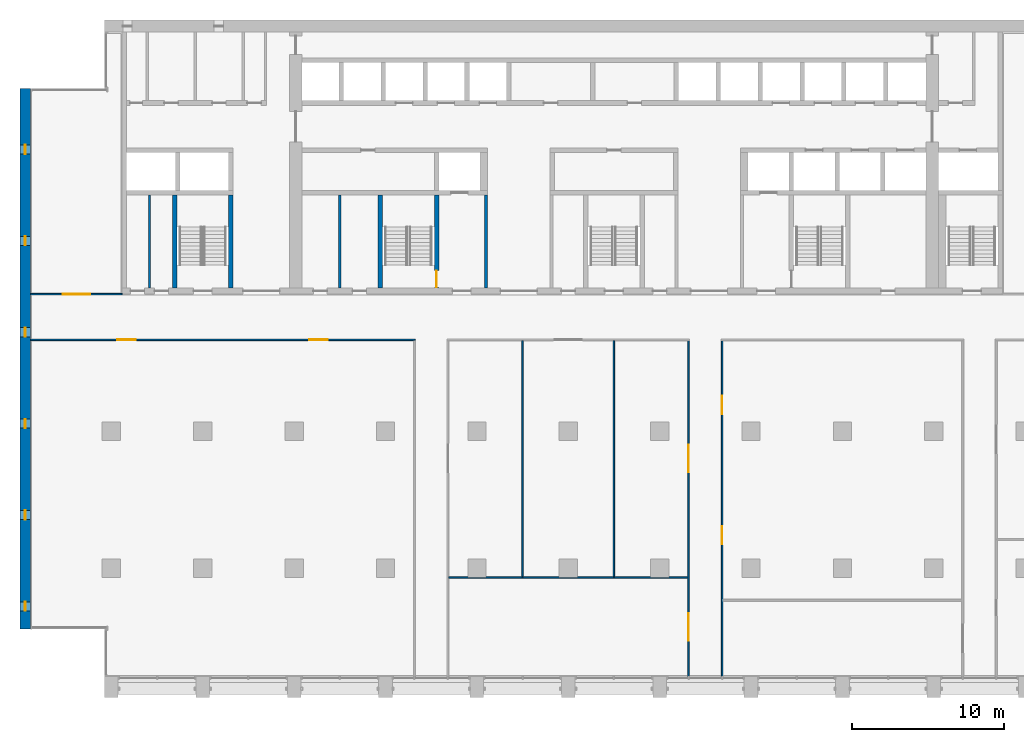
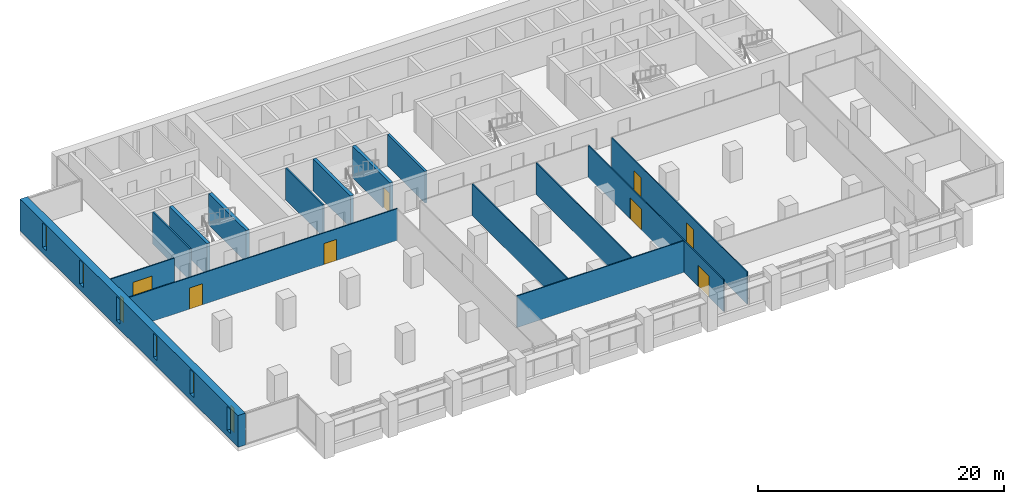
# One storey, part 8 of 15: 15 walls, 8 doors, 6 windows, 14 openings.
"""IFC4 building model written with IfcOpenShell, lengths in metres."""

import ifcopenshell
import ifcopenshell.guid

model = None  # the IFC model being written
_history = None  # IfcOwnerHistory: only IFC2X3 demands one
_inside = {}  # id of a spatial element -> (the spatial element, [elements in it])
_under = {}  # id of a project, library or spatial element -> (it, [spatial elements below it])
_declared = {}  # id of a project -> (the project, [libraries it declares])
_typed = {}  # id of a type object -> (the type object, [elements of that type])
_made_of = {}  # id of a material, layer set ... -> (it, [elements and type objects made of it])


def new_model(schema):
    """Start an empty IFC model of exactly this schema.

    Asked for "IFC4X3", IfcOpenShell would pick the latest addendum, in which some entities
    have other attributes; the version numbers below select the first issue.
    IFC2X3 requires an IfcOwnerHistory on every rooted entity: one is made here for all.
    """
    global model, _history
    if schema == "IFC4X3":
        model = ifcopenshell.file(schema_version=(4, 3, 0, 0))
    else:
        model = ifcopenshell.file(schema=schema)
    _inside.clear()
    _under.clear()
    _declared.clear()
    _typed.clear()
    _made_of.clear()
    _history = None
    if model.schema == "IFC2X3":
        org = make("IfcOrganization", Name="unknown")
        user = make(
            "IfcPersonAndOrganization",
            ThePerson=make("IfcPerson", FamilyName="unknown"),
            TheOrganization=org,
        )
        app = make(
            "IfcApplication",
            ApplicationDeveloper=org,
            Version="unknown",
            ApplicationFullName="unknown",
            ApplicationIdentifier="unknown",
        )
        _history = make(
            "IfcOwnerHistory",
            OwningUser=user,
            OwningApplication=app,
            ChangeAction="ADDED",
            CreationDate=0,
        )
    return model


def make(cls, **values):
    """One entity of the class cls with the attributes given. An attribute that is None is left unset."""
    return model.create_entity(
        cls, **{name: value for name, value in values.items() if value is not None}
    )


def rooted(cls, **values):
    """An entity with a GlobalId (a new one), such as an element, a storey or a relation."""
    return make(cls, GlobalId=ifcopenshell.guid.new(), OwnerHistory=_history, **values)


def si_unit(unit_type, name, prefix=None):
    """IfcSIUnit, for example si_unit("LENGTHUNIT", "METRE", prefix="MILLI")."""
    return make("IfcSIUnit", UnitType=unit_type, Prefix=prefix, Name=name)


def assignment(units):
    """IfcUnitAssignment: the units of a project."""
    return None if units is None else make("IfcUnitAssignment", Units=units)


def point(xyz):
    """IfcCartesianPoint."""
    return None if xyz is None else make("IfcCartesianPoint", Coordinates=xyz)


def direction(xyz):
    """IfcDirection."""
    return None if xyz is None else make("IfcDirection", DirectionRatios=xyz)


def frame(location, z_axis=None, x_axis=None):
    """IfcAxis2Placement3D, a coordinate frame: its origin and axes. An axis left out is left unset."""
    return make(
        "IfcAxis2Placement3D",
        Location=point(location),
        Axis=direction(z_axis),
        RefDirection=direction(x_axis),
    )


def frame_2d(location, x_axis=None):
    """IfcAxis2Placement2D, a coordinate frame in the plane: its origin and x axis."""
    return make(
        "IfcAxis2Placement2D", Location=point(location), RefDirection=direction(x_axis)
    )


def origin():
    """The frame at (0, 0, 0) with its axes left unset."""
    return frame((0.0, 0.0, 0.0))


def place(relative_to, where):
    """IfcLocalPlacement: puts the frame where relative to a parent placement (None: the world)."""
    return make(
        "IfcLocalPlacement", PlacementRelTo=relative_to, RelativePlacement=where
    )


def context(
    kind, dimensions, precision=None, world=None, true_north=None, identifier=None
):
    """IfcGeometricRepresentationContext, for example the 3D "Model" context."""
    return make(
        "IfcGeometricRepresentationContext",
        ContextIdentifier=identifier,
        ContextType=kind,
        CoordinateSpaceDimension=dimensions,
        Precision=precision,
        WorldCoordinateSystem=world,
        TrueNorth=true_north,
    )


def subcontext(parent, identifier, kind, view, scale=None):
    """IfcGeometricRepresentationSubContext, for example "Body" below "Model"."""
    return make(
        "IfcGeometricRepresentationSubContext",
        ContextIdentifier=identifier,
        ContextType=kind,
        ParentContext=parent,
        TargetScale=scale,
        TargetView=view,
    )


def project(units=None, contexts=None):
    """IfcProject with its units and contexts."""
    return rooted(
        "IfcProject",
        Name="project",
        RepresentationContexts=contexts,
        UnitsInContext=assignment(units),
    )


def spatial(cls, under=None, at=None, **own):
    """A site, building, storey or space (cls), placed at a placement, below another one or the project."""
    s = rooted(cls, ObjectPlacement=at, **own)
    if under is not None:
        _under.setdefault(under.id(), (under, []))[1].append(s)
    return s


def profile(cls, at=None, kind="AREA", **sizes):
    """A parametric profile (cls). Its sizes go by their IFC names, for example OverallWidth=200.0."""
    return make(cls, ProfileType=kind, Position=at, **sizes)


def rectangle(**sizes):
    """IfcRectangleProfileDef."""
    return profile("IfcRectangleProfileDef", **sizes)


def extrude(swept, where, along, depth):
    """IfcExtrudedAreaSolid: the profile swept, set in the frame where, extruded along a direction by depth."""
    return make(
        "IfcExtrudedAreaSolid",
        SweptArea=swept,
        Position=where,
        ExtrudedDirection=direction(along),
        Depth=depth,
    )


def shape(context_of_items, identifier, shape_type, items):
    """IfcShapeRepresentation: the items that make up one representation, for example the "Body"."""
    return make(
        "IfcShapeRepresentation",
        ContextOfItems=context_of_items,
        RepresentationIdentifier=identifier,
        RepresentationType=shape_type,
        Items=items,
    )


def material(Name=None, Category=None):
    """IfcMaterial."""
    return make("IfcMaterial", Name=Name, Category=Category)


def layer(
    of_material, thickness, ventilated=None, Name=None, Category=None, Priority=None
):
    """IfcMaterialLayer: one layer of a wall or slab, of a material (None: an air gap)."""
    return make(
        "IfcMaterialLayer",
        Material=of_material,
        LayerThickness=thickness,
        IsVentilated=ventilated,
        Name=Name,
        Category=Category,
        Priority=Priority,
    )


def layer_set(layers, Name=None):
    """IfcMaterialLayerSet."""
    return make("IfcMaterialLayerSet", MaterialLayers=layers, LayerSetName=Name)


def made_of(thing, what):
    """Note that an element or type object is made of a material, layer set ...; save() writes the relation."""
    if what is not None:
        _made_of.setdefault(what.id(), (what, []))[1].append(thing)
    return thing


def type_object(cls, material=None, **own):
    """A type object (cls), such as IfcWallType, which elements share."""
    return made_of(rooted(cls, **own), material)


def element(
    cls,
    number,
    at=None,
    inside=None,
    cuts=None,
    type_object=None,
    material=None,
    context=None,
    identifier="Body",
    shape_type=None,
    held_by="IfcProductDefinitionShape",
    body=None,
    shapes=None,
    **own,
):
    """One element of the class cls, such as IfcWall. Its Tag is "e" and its number.

    at: its placement. inside: the storey or other place that contains it. cuts: it is an
    opening in that element (IfcRelVoidsElement). A single representation is given by context,
    identifier, shape_type and body (its items); several are given by shapes. held_by: the class
    of the entity that holds the representations. save() writes the other relations.
    """
    e = rooted(cls, Tag="e%d" % number, ObjectPlacement=at, **own)
    if body is not None:
        shapes = [shape(context, identifier, shape_type, body)]
    if shapes is not None:
        e.Representation = make(held_by, Representations=shapes)
    if inside is not None:
        _inside.setdefault(inside.id(), (inside, []))[1].append(e)
    if cuts is not None:
        rooted(
            "IfcRelVoidsElement", RelatingBuildingElement=cuts, RelatedOpeningElement=e
        )
    if type_object is not None:
        _typed.setdefault(type_object.id(), (type_object, []))[1].append(e)
    return made_of(e, material)


def fill(opening, filler):
    """IfcRelFillsElement: the door or window that sits in an opening."""
    return rooted(
        "IfcRelFillsElement",
        RelatingOpeningElement=opening,
        RelatedBuildingElement=filler,
    )


def aggregate(whole, parts):
    """IfcRelAggregates: a whole, such as a stair, and the parts it consists of."""
    return rooted("IfcRelAggregates", RelatingObject=whole, RelatedObjects=parts)


def save(model, path):
    """Write the relations noted so far, then the file.

    IfcRelAggregates (storeys below a building ...), IfcRelContainedInSpatialStructure (elements
    in a storey), IfcRelDefinesByType, IfcRelAssociatesMaterial and IfcRelDeclares: one each for
    every whole, place, type object, material and project.
    """
    for whole, parts in _under.values():
        aggregate(whole, parts)
    for where, things in _inside.values():
        rooted(
            "IfcRelContainedInSpatialStructure",
            RelatedElements=things,
            RelatingStructure=where,
        )
    for kind, things in _typed.values():
        rooted("IfcRelDefinesByType", RelatedObjects=things, RelatingType=kind)
    for what, things in _made_of.values():
        rooted("IfcRelAssociatesMaterial", RelatedObjects=things, RelatingMaterial=what)
    for by, libraries in _declared.values():
        rooted("IfcRelDeclares", RelatingContext=by, RelatedDefinitions=libraries)
    model.write(path)


model = new_model("IFC4")

# Units and contexts
model_context = context("Model", 3, precision=1e-05, world=origin(), true_north=direction((0.0, 1.0)))
body_context = subcontext(model_context, "Body", "Model", "MODEL_VIEW")
ifc_project = project(units=[si_unit("LENGTHUNIT", "METRE"), si_unit("AREAUNIT", "SQUARE_METRE"), si_unit("VOLUMEUNIT", "CUBIC_METRE"), si_unit("PLANEANGLEUNIT", "RADIAN"), si_unit("MASSUNIT", "GRAM", prefix="KILO")], contexts=[model_context])

# Site, building, storey
site_placement = place(None, origin())
site = spatial("IfcSite", under=ifc_project, at=site_placement, CompositionType="ELEMENT")
building_placement = place(site_placement, origin())
building = spatial("IfcBuilding", under=site, at=building_placement, Name="Calvaro Tower", CompositionType="ELEMENT")
storey_placement = place(building_placement, frame((0.0, 0.0, 155.0)))
storey = spatial("IfcBuildingStorey", under=building, at=storey_placement, Name="L39", CompositionType="ELEMENT", Elevation=155.0)

# Walls
ifc_material_1 = material(Name="Blockwork partition", Category="masonry")
ifc_layer_1 = layer(ifc_material_1, 0.14990234375)
ifc_layer_set_1 = layer_set([ifc_layer_1], Name="Blockwork partition")
wall_type_1 = type_object("IfcWallType", Name="Core partition 150 EI 60", PredefinedType="PARTITIONING", material=ifc_layer_set_1)
wall_1_placement = place(storey_placement, frame((21.0, 28.39990234375, 0.0), z_axis=(0.0, 0.0, 1.0), x_axis=(0.0, 1.0, 0.0)))
element("IfcWall", 1, at=wall_1_placement, inside=storey, type_object=wall_type_1, Name="Core partition", PredefinedType="PARTITIONING", context=body_context, shape_type="SweptSolid", body=[
    extrude(rectangle(XDim=6.10009765625, YDim=0.14990234375, at=frame_2d((3.050048828125, 0.0))), origin(), (0.0, 0.0, 1.0), 3.14990234375),
])
ifc_material_2 = material(Name="Blockwork partition", Category="masonry")
ifc_layer_2 = layer(ifc_material_2, 0.14990234375)
ifc_layer_set_2 = layer_set([ifc_layer_2], Name="Blockwork partition")
wall_type_2 = type_object("IfcWallType", Name="Core partition 150 REI 120", PredefinedType="PARTITIONING", material=ifc_layer_set_2)
wall_2_placement = place(storey_placement, frame((8.5, 28.39990234375, 0.0), z_axis=(0.0, 0.0, 1.0), x_axis=(0.0, 1.0, 0.0)))
element("IfcWall", 2, at=wall_2_placement, inside=storey, type_object=wall_type_2, Name="Core partition", PredefinedType="PARTITIONING", context=body_context, shape_type="SweptSolid", body=[
    extrude(rectangle(XDim=6.10009765625, YDim=0.14990234375, at=frame_2d((3.050048828125, 0.0))), origin(), (0.0, 0.0, 1.0), 3.14990234375),
])
ifc_material_3 = material(Name="Blockwork partition", Category="masonry")
ifc_layer_3 = layer(ifc_material_3, 0.199951171875)
ifc_layer_set_3 = layer_set([ifc_layer_3], Name="Blockwork partition")
wall_type_3 = type_object("IfcWallType", Name="Core partition 200 REI 120", PredefinedType="PARTITIONING", material=ifc_layer_set_3)
wall_3_placement = place(storey_placement, frame((30.60009765625, 28.39990234375, 0.0), z_axis=(0.0, 0.0, 1.0), x_axis=(0.0, 1.0, 0.0)))
element("IfcWall", 3, at=wall_3_placement, inside=storey, type_object=wall_type_3, Name="Core partition", PredefinedType="PARTITIONING", context=body_context, shape_type="SweptSolid", body=[
    extrude(rectangle(XDim=6.10009765625, YDim=0.199951171875, at=frame_2d((3.050048828125, 0.0))), origin(), (0.0, 0.0, 1.0), 3.14990234375),
])
ifc_material_4 = material(Name="Concrete C60/75", Category="concrete")
ifc_layer_4 = layer(ifc_material_4, 0.300048828125)
ifc_layer_set_4 = layer_set([ifc_layer_4], Name="Concrete C60/75")
wall_type_4 = type_object("IfcWallType", Name="Core wall C60/75 300", PredefinedType="SHEAR", material=ifc_layer_set_4)
for number, where, z_axis, x_axis, name in (
    (4, (10.14990234375, 28.39990234375, 0.0), (0.0, 0.0, 1.0), (0.0, 1.0, 0.0), "Core wall, stair enclosure"),
    (5, (13.85009765625, 28.39990234375, 0.0), (0.0, 0.0, 1.0), (0.0, 1.0, 0.0), "Core wall, stair enclosure"),
    (6, (23.64990234375, 28.39990234375, 0.0), (0.0, 0.0, 1.0), (0.0, 1.0, 0.0), "Core wall, stair enclosure"),
):
    element("IfcWall", number, at=place(storey_placement, frame(where, z_axis=z_axis, x_axis=x_axis)), inside=storey, type_object=wall_type_4, Name=name, PredefinedType="SHEAR", context=body_context, shape_type="SweptSolid", body=[
        extrude(rectangle(XDim=6.10009765625, YDim=0.300048828125, at=frame_2d((3.050048828125, 0.0))), origin(), (0.0, 0.0, 1.0), 3.14990234375),
    ])

# Wall, opening, door
wall_4_placement = place(storey_placement, frame((27.35009765625, 28.39990234375, 0.0), z_axis=(0.0, 0.0, 1.0), x_axis=(0.0, 1.0, 0.0)))
wall_4 = element("IfcWall", 7, at=wall_4_placement, inside=storey, type_object=wall_type_4, Name="Core wall, stair enclosure", PredefinedType="SHEAR", context=body_context, shape_type="SweptSolid", body=[
    extrude(rectangle(XDim=6.10009765625, YDim=0.300048828125, at=frame_2d((3.050048828125, 0.0))), origin(), (0.0, 0.0, 1.0), 3.14990234375),
])
opening_1_placement = place(wall_4_placement, frame((0.050048828125, 0.0, 0.0)))
opening_1 = element("IfcOpeningElement", 8, at=opening_1_placement, cuts=wall_4, Name="Opening FD11D", PredefinedType="OPENING", context=body_context, shape_type="SweptSolid", body=[
    extrude(rectangle(XDim=1.10009765625, YDim=2.10009765625, at=frame_2d((0.550048828125, 1.050048828125))), frame((0.0, 0.159912109375, 0.0), z_axis=(0.0, -1.0, 0.0), x_axis=(1.0, 0.0, 0.0)), (0.0, 0.0, 1.0), 0.320068359375),
])
ifc_material_5 = material(Name="Steel door set", Category="steel")
door_type_1 = type_object("IfcDoorType", Name="Fire door 1100 FD30S", OperationType="SINGLE_SWING_LEFT", PredefinedType="DOOR", material=ifc_material_5)
door_1_placement = place(opening_1_placement, origin())
door_1 = element("IfcDoor", 9, at=door_1_placement, inside=storey, type_object=door_type_1, Name="Fire door", OperationType="SINGLE_SWING_LEFT", OverallHeight=2.10009765625, OverallWidth=1.10009765625, PredefinedType="DOOR", context=body_context, shape_type="SweptSolid", body=[
    extrude(rectangle(XDim=1.10009765625, YDim=2.10009765625, at=frame_2d((0.550048828125, 1.050048828125))), frame((0.0, 0.02490234375, 0.0), z_axis=(0.0, -1.0, 0.0), x_axis=(1.0, 0.0, 0.0)), (0.0, 0.0, 1.0), 0.050048828125),
])
fill(opening_1, door_1)

# Wall, openings, windows
ifc_material_6 = material(Name="Concrete C60/75", Category="concrete")
ifc_layer_5 = layer(ifc_material_6, 0.699951171875)
ifc_layer_set_5 = layer_set([ifc_layer_5], Name="Concrete C60/75")
wall_type_5 = type_object("IfcWallType", Name="End wall 700 C60/75", PredefinedType="SHEAR", material=ifc_layer_set_5)
wall_5_placement = place(storey_placement, frame((0.35009765625, 6.0, 0.0), z_axis=(0.0, 0.0, 1.0), x_axis=(0.0, 1.0, 0.0)))
wall_5 = element("IfcWall", 10, at=wall_5_placement, inside=storey, type_object=wall_type_5, Name="End shear wall", PredefinedType="SHEAR", context=body_context, shape_type="SweptSolid", body=[
    extrude(rectangle(XDim=35.5, YDim=0.699951171875, at=frame_2d((17.75, 0.0))), origin(), (0.0, 0.0, 1.0), 3.14990234375),
])
opening_2_placement = place(wall_5_placement, frame((1.199951171875, 0.0, 0.60009765625)))
opening_2 = element("IfcOpeningElement", 11, at=opening_2_placement, cuts=wall_5, Name="Opening WW01", PredefinedType="OPENING", context=body_context, shape_type="SweptSolid", body=[
    extrude(rectangle(XDim=0.60009765625, YDim=2.39990234375, at=frame_2d((0.300048828125, 1.199951171875))), frame((0.0, 0.35986328125, 0.0), z_axis=(0.0, -1.0, 0.0), x_axis=(1.0, 0.0, 0.0)), (0.0, 0.0, 1.0), 0.719970703125),
])
opening_3_placement = place(wall_5_placement, frame((7.199951171875, 0.0, 0.60009765625)))
opening_3 = element("IfcOpeningElement", 12, at=opening_3_placement, cuts=wall_5, Name="Opening WW02", PredefinedType="OPENING", context=body_context, shape_type="SweptSolid", body=[
    extrude(rectangle(XDim=0.60009765625, YDim=2.39990234375, at=frame_2d((0.300048828125, 1.199951171875))), frame((0.0, 0.35986328125, 0.0), z_axis=(0.0, -1.0, 0.0), x_axis=(1.0, 0.0, 0.0)), (0.0, 0.0, 1.0), 0.719970703125),
])
opening_4_placement = place(wall_5_placement, frame((13.199951171875, 0.0, 0.60009765625)))
opening_4 = element("IfcOpeningElement", 13, at=opening_4_placement, cuts=wall_5, Name="Opening WW03", PredefinedType="OPENING", context=body_context, shape_type="SweptSolid", body=[
    extrude(rectangle(XDim=0.60009765625, YDim=2.39990234375, at=frame_2d((0.300048828125, 1.199951171875))), frame((0.0, 0.35986328125, 0.0), z_axis=(0.0, -1.0, 0.0), x_axis=(1.0, 0.0, 0.0)), (0.0, 0.0, 1.0), 0.719970703125),
])
opening_5_placement = place(wall_5_placement, frame((19.199951171875, 0.0, 0.60009765625)))
opening_5 = element("IfcOpeningElement", 14, at=opening_5_placement, cuts=wall_5, Name="Opening WW04", PredefinedType="OPENING", context=body_context, shape_type="SweptSolid", body=[
    extrude(rectangle(XDim=0.60009765625, YDim=2.39990234375, at=frame_2d((0.300048828125, 1.199951171875))), frame((0.0, 0.35986328125, 0.0), z_axis=(0.0, -1.0, 0.0), x_axis=(1.0, 0.0, 0.0)), (0.0, 0.0, 1.0), 0.719970703125),
])
opening_6_placement = place(wall_5_placement, frame((25.199951171875, 0.0, 0.60009765625)))
opening_6 = element("IfcOpeningElement", 15, at=opening_6_placement, cuts=wall_5, Name="Opening WW05", PredefinedType="OPENING", context=body_context, shape_type="SweptSolid", body=[
    extrude(rectangle(XDim=0.60009765625, YDim=2.39990234375, at=frame_2d((0.300048828125, 1.199951171875))), frame((0.0, 0.35986328125, 0.0), z_axis=(0.0, -1.0, 0.0), x_axis=(1.0, 0.0, 0.0)), (0.0, 0.0, 1.0), 0.719970703125),
])
opening_7_placement = place(wall_5_placement, frame((31.199951171875, 0.0, 0.60009765625)))
opening_7 = element("IfcOpeningElement", 16, at=opening_7_placement, cuts=wall_5, Name="Opening WW06", PredefinedType="OPENING", context=body_context, shape_type="SweptSolid", body=[
    extrude(rectangle(XDim=0.60009765625, YDim=2.39990234375, at=frame_2d((0.300048828125, 1.199951171875))), frame((0.0, 0.35986328125, 0.0), z_axis=(0.0, -1.0, 0.0), x_axis=(1.0, 0.0, 0.0)), (0.0, 0.0, 1.0), 0.719970703125),
])
ifc_material_7 = material(Name="Glass", Category="glass")
window_type = type_object("IfcWindowType", Name="Slit window 600 x 2400", PartitioningType="SINGLE_PANEL", PredefinedType="WINDOW", material=ifc_material_7)
window_1_placement = place(opening_2_placement, origin())
window_1 = element("IfcWindow", 17, at=window_1_placement, inside=storey, type_object=window_type, Name="Window WW01", OverallHeight=2.39990234375, OverallWidth=0.60009765625, PartitioningType="SINGLE_PANEL", PredefinedType="WINDOW", context=body_context, shape_type="SweptSolid", body=[
    extrude(rectangle(XDim=0.60009765625, YDim=2.39990234375, at=frame_2d((0.300048828125, 1.199951171875))), frame((0.0, 0.030029296875, 0.0), z_axis=(0.0, -1.0, 0.0), x_axis=(1.0, 0.0, 0.0)), (0.0, 0.0, 1.0), 0.06005859375),
])
fill(opening_2, window_1)
window_2_placement = place(opening_3_placement, origin())
window_2 = element("IfcWindow", 18, at=window_2_placement, inside=storey, type_object=window_type, Name="Window WW02", OverallHeight=2.39990234375, OverallWidth=0.60009765625, PartitioningType="SINGLE_PANEL", PredefinedType="WINDOW", context=body_context, shape_type="SweptSolid", body=[
    extrude(rectangle(XDim=0.60009765625, YDim=2.39990234375, at=frame_2d((0.300048828125, 1.199951171875))), frame((0.0, 0.030029296875, 0.0), z_axis=(0.0, -1.0, 0.0), x_axis=(1.0, 0.0, 0.0)), (0.0, 0.0, 1.0), 0.06005859375),
])
fill(opening_3, window_2)
window_3_placement = place(opening_4_placement, origin())
window_3 = element("IfcWindow", 19, at=window_3_placement, inside=storey, type_object=window_type, Name="Window WW03", OverallHeight=2.39990234375, OverallWidth=0.60009765625, PartitioningType="SINGLE_PANEL", PredefinedType="WINDOW", context=body_context, shape_type="SweptSolid", body=[
    extrude(rectangle(XDim=0.60009765625, YDim=2.39990234375, at=frame_2d((0.300048828125, 1.199951171875))), frame((0.0, 0.030029296875, 0.0), z_axis=(0.0, -1.0, 0.0), x_axis=(1.0, 0.0, 0.0)), (0.0, 0.0, 1.0), 0.06005859375),
])
fill(opening_4, window_3)
window_4_placement = place(opening_5_placement, origin())
window_4 = element("IfcWindow", 20, at=window_4_placement, inside=storey, type_object=window_type, Name="Window WW04", OverallHeight=2.39990234375, OverallWidth=0.60009765625, PartitioningType="SINGLE_PANEL", PredefinedType="WINDOW", context=body_context, shape_type="SweptSolid", body=[
    extrude(rectangle(XDim=0.60009765625, YDim=2.39990234375, at=frame_2d((0.300048828125, 1.199951171875))), frame((0.0, 0.030029296875, 0.0), z_axis=(0.0, -1.0, 0.0), x_axis=(1.0, 0.0, 0.0)), (0.0, 0.0, 1.0), 0.06005859375),
])
fill(opening_5, window_4)
window_5_placement = place(opening_6_placement, origin())
window_5 = element("IfcWindow", 21, at=window_5_placement, inside=storey, type_object=window_type, Name="Window WW05", OverallHeight=2.39990234375, OverallWidth=0.60009765625, PartitioningType="SINGLE_PANEL", PredefinedType="WINDOW", context=body_context, shape_type="SweptSolid", body=[
    extrude(rectangle(XDim=0.60009765625, YDim=2.39990234375, at=frame_2d((0.300048828125, 1.199951171875))), frame((0.0, 0.030029296875, 0.0), z_axis=(0.0, -1.0, 0.0), x_axis=(1.0, 0.0, 0.0)), (0.0, 0.0, 1.0), 0.06005859375),
])
fill(opening_6, window_5)
window_6_placement = place(opening_7_placement, origin())
window_6 = element("IfcWindow", 22, at=window_6_placement, inside=storey, type_object=window_type, Name="Window WW06", OverallHeight=2.39990234375, OverallWidth=0.60009765625, PartitioningType="SINGLE_PANEL", PredefinedType="WINDOW", context=body_context, shape_type="SweptSolid", body=[
    extrude(rectangle(XDim=0.60009765625, YDim=2.39990234375, at=frame_2d((0.300048828125, 1.199951171875))), frame((0.0, 0.030029296875, 0.0), z_axis=(0.0, -1.0, 0.0), x_axis=(1.0, 0.0, 0.0)), (0.0, 0.0, 1.0), 0.06005859375),
])
fill(opening_7, window_6)

# Wall
ifc_material_8 = material(Name="Plasterboard on steel studs", Category="steel")
ifc_layer_6 = layer(ifc_material_8, 0.10009765625)
ifc_layer_set_6 = layer_set([ifc_layer_6], Name="Plasterboard on steel studs")
wall_type_6 = type_object("IfcWallType", Name="Partition 100", PredefinedType="PARTITIONING", material=ifc_layer_set_6)
wall_6_placement = place(storey_placement, frame((28.14990234375, 9.39990234375, 0.0), z_axis=(0.0, 0.0, 1.0), x_axis=(1.0, 0.0, 0.0)))
element("IfcWall", 23, at=wall_6_placement, inside=storey, type_object=wall_type_6, Name="Partition T23.W002", PredefinedType="PARTITIONING", context=body_context, shape_type="SweptSolid", body=[
    extrude(rectangle(XDim=15.7001953125, YDim=0.10009765625, at=frame_2d((7.85009765625, 0.0))), origin(), (0.0, 0.0, 1.0), 3.14990234375),
])

# Wall, openings, doors
wall_7_placement = place(storey_placement, frame((0.699951171875, 25.0, 0.0), z_axis=(0.0, 0.0, 1.0), x_axis=(1.0, 0.0, 0.0)))
wall_7 = element("IfcWall", 24, at=wall_7_placement, inside=storey, type_object=wall_type_6, Name="Partition T23.W004", PredefinedType="PARTITIONING", context=body_context, shape_type="SweptSolid", body=[
    extrude(rectangle(XDim=25.25, YDim=0.10009765625, at=frame_2d((12.625, 0.0))), origin(), (0.0, 0.0, 1.0), 3.14990234375),
])
opening_8_placement = place(wall_7_placement, frame((5.699951171875, 0.0, 0.0)))
opening_8 = element("IfcOpeningElement", 25, at=opening_8_placement, cuts=wall_7, Name="Opening T23.004", PredefinedType="OPENING", context=body_context, shape_type="SweptSolid", body=[
    extrude(rectangle(XDim=1.199951171875, YDim=2.10009765625, at=frame_2d((0.60009765625, 1.050048828125))), frame((0.0, 0.06005859375, 0.0), z_axis=(0.0, -1.0, 0.0), x_axis=(1.0, 0.0, 0.0)), (0.0, 0.0, 1.0), 0.1201171875),
])
opening_9_placement = place(wall_7_placement, frame((18.300048828125, 0.0, 0.0)))
opening_9 = element("IfcOpeningElement", 26, at=opening_9_placement, cuts=wall_7, Name="Opening T23.005", PredefinedType="OPENING", context=body_context, shape_type="SweptSolid", body=[
    extrude(rectangle(XDim=1.199951171875, YDim=2.10009765625, at=frame_2d((0.60009765625, 1.050048828125))), frame((0.0, 0.06005859375, 0.0), z_axis=(0.0, -1.0, 0.0), x_axis=(1.0, 0.0, 0.0)), (0.0, 0.0, 1.0), 0.1201171875),
])
ifc_material_9 = material(Name="Timber", Category="wood")
door_type_2 = type_object("IfcDoorType", Name="Internal single door 1200 x 2100", OperationType="SINGLE_SWING_LEFT", PredefinedType="DOOR", material=ifc_material_9)
door_2_placement = place(opening_8_placement, origin())
door_2 = element("IfcDoor", 27, at=door_2_placement, inside=storey, type_object=door_type_2, Name="Door T23.004", OperationType="SINGLE_SWING_LEFT", OverallHeight=2.10009765625, OverallWidth=1.199951171875, PredefinedType="DOOR", context=body_context, shape_type="SweptSolid", body=[
    extrude(rectangle(XDim=1.199951171875, YDim=2.10009765625, at=frame_2d((0.60009765625, 1.050048828125))), frame((0.0, 0.02490234375, 0.0), z_axis=(0.0, -1.0, 0.0), x_axis=(1.0, 0.0, 0.0)), (0.0, 0.0, 1.0), 0.050048828125),
])
fill(opening_8, door_2)
door_3_placement = place(opening_9_placement, origin())
door_3 = element("IfcDoor", 28, at=door_3_placement, inside=storey, type_object=door_type_2, Name="Door T23.005", OperationType="SINGLE_SWING_RIGHT", OverallHeight=2.10009765625, OverallWidth=1.199951171875, PredefinedType="DOOR", context=body_context, shape_type="SweptSolid", body=[
    extrude(rectangle(XDim=1.199951171875, YDim=2.10009765625, at=frame_2d((0.60009765625, 1.050048828125))), frame((0.0, 0.02490234375, 0.0), z_axis=(0.0, -1.0, 0.0), x_axis=(1.0, 0.0, 0.0)), (0.0, 0.0, 1.0), 0.050048828125),
])
fill(opening_9, door_3)

# Wall, opening, door
wall_8_placement = place(storey_placement, frame((0.699951171875, 28.0, 0.0), z_axis=(0.0, 0.0, 1.0), x_axis=(1.0, 0.0, 0.0)))
wall_8 = element("IfcWall", 29, at=wall_8_placement, inside=storey, type_object=wall_type_6, Name="Partition T23.W008", PredefinedType="PARTITIONING", context=body_context, shape_type="SweptSolid", body=[
    extrude(rectangle(XDim=6.0, YDim=0.10009765625, at=frame_2d((3.0, 0.0))), origin(), (0.0, 0.0, 1.0), 3.14990234375),
])
opening_10_placement = place(wall_8_placement, frame((2.10009765625, 0.0, 0.0)))
opening_10 = element("IfcOpeningElement", 30, at=opening_10_placement, cuts=wall_8, Name="Opening T23.013", PredefinedType="OPENING", context=body_context, shape_type="SweptSolid", body=[
    extrude(rectangle(XDim=1.800048828125, YDim=2.10009765625, at=frame_2d((0.89990234375, 1.050048828125))), frame((0.0, 0.06005859375, 0.0), z_axis=(0.0, -1.0, 0.0), x_axis=(1.0, 0.0, 0.0)), (0.0, 0.0, 1.0), 0.1201171875),
])
ifc_material_10 = material(Name="Timber", Category="wood")
door_type_3 = type_object("IfcDoorType", Name="Internal double door 1800 x 2100", OperationType="DOUBLE_DOOR_SINGLE_SWING", PredefinedType="DOOR", material=ifc_material_10)
door_4_placement = place(opening_10_placement, origin())
door_4 = element("IfcDoor", 31, at=door_4_placement, inside=storey, type_object=door_type_3, Name="Door T23.013", OperationType="DOUBLE_DOOR_SINGLE_SWING", OverallHeight=2.10009765625, OverallWidth=1.800048828125, PredefinedType="DOOR", context=body_context, shape_type="SweptSolid", body=[
    extrude(rectangle(XDim=1.800048828125, YDim=2.10009765625, at=frame_2d((0.89990234375, 1.050048828125))), frame((0.0, 0.02490234375, 0.0), z_axis=(0.0, -1.0, 0.0), x_axis=(1.0, 0.0, 0.0)), (0.0, 0.0, 1.0), 0.050048828125),
])
fill(opening_10, door_4)

# Walls
for number, where, z_axis, x_axis, name in (
    (32, (33.0, 9.449951171875, 0.0), (0.0, 0.0, 1.0), (0.0, 1.0, 0.0), "Partition T23.W012"),
    (33, (39.0, 9.449951171875, 0.0), (0.0, 0.0, 1.0), (0.0, 1.0, 0.0), "Partition T23.W013"),
):
    element("IfcWall", number, at=place(storey_placement, frame(where, z_axis=z_axis, x_axis=x_axis)), inside=storey, type_object=wall_type_6, Name=name, PredefinedType="PARTITIONING", context=body_context, shape_type="SweptSolid", body=[
        extrude(rectangle(XDim=15.5, YDim=0.10009765625, at=frame_2d((7.75, 0.0))), origin(), (0.0, 0.0, 1.0), 3.14990234375),
    ])

# Wall, openings, doors
wall_9_placement = place(storey_placement, frame((43.89990234375, 2.89990234375, 0.0), z_axis=(0.0, 0.0, 1.0), x_axis=(0.0, 1.0, 0.0)))
wall_9 = element("IfcWall", 34, at=wall_9_placement, inside=storey, type_object=wall_type_6, Name="Partition T23.W014", PredefinedType="PARTITIONING", context=body_context, shape_type="SweptSolid", body=[
    extrude(rectangle(XDim=22.050048828125, YDim=0.10009765625, at=frame_2d((11.02490234375, 0.0))), origin(), (0.0, 0.0, 1.0), 3.14990234375),
])
opening_11_placement = place(wall_9_placement, frame((2.35009765625, 0.0, 0.0)))
opening_11 = element("IfcOpeningElement", 35, at=opening_11_placement, cuts=wall_9, Name="Opening T23.002", PredefinedType="OPENING", context=body_context, shape_type="SweptSolid", body=[
    extrude(rectangle(XDim=1.800048828125, YDim=2.10009765625, at=frame_2d((0.89990234375, 1.050048828125))), frame((0.0, 0.06005859375, 0.0), z_axis=(0.0, -1.0, 0.0), x_axis=(1.0, 0.0, 0.0)), (0.0, 0.0, 1.0), 0.1201171875),
])
opening_12_placement = place(wall_9_placement, frame((13.39990234375, 0.0, 0.0)))
opening_12 = element("IfcOpeningElement", 36, at=opening_12_placement, cuts=wall_9, Name="Opening T23.010", PredefinedType="OPENING", context=body_context, shape_type="SweptSolid", body=[
    extrude(rectangle(XDim=1.800048828125, YDim=2.10009765625, at=frame_2d((0.89990234375, 1.050048828125))), frame((0.0, 0.06005859375, 0.0), z_axis=(0.0, -1.0, 0.0), x_axis=(1.0, 0.0, 0.0)), (0.0, 0.0, 1.0), 0.1201171875),
])
door_5_placement = place(opening_11_placement, origin())
door_5 = element("IfcDoor", 37, at=door_5_placement, inside=storey, type_object=door_type_3, Name="Door T23.002", OperationType="DOUBLE_DOOR_SINGLE_SWING", OverallHeight=2.10009765625, OverallWidth=1.800048828125, PredefinedType="DOOR", context=body_context, shape_type="SweptSolid", body=[
    extrude(rectangle(XDim=1.800048828125, YDim=2.10009765625, at=frame_2d((0.89990234375, 1.050048828125))), frame((0.0, 0.02490234375, 0.0), z_axis=(0.0, -1.0, 0.0), x_axis=(1.0, 0.0, 0.0)), (0.0, 0.0, 1.0), 0.050048828125),
])
fill(opening_11, door_5)
door_6_placement = place(opening_12_placement, origin())
door_6 = element("IfcDoor", 38, at=door_6_placement, inside=storey, type_object=door_type_3, Name="Door T23.010", OperationType="DOUBLE_DOOR_SINGLE_SWING", OverallHeight=2.10009765625, OverallWidth=1.800048828125, PredefinedType="DOOR", context=body_context, shape_type="SweptSolid", body=[
    extrude(rectangle(XDim=1.800048828125, YDim=2.10009765625, at=frame_2d((0.89990234375, 1.050048828125))), frame((0.0, 0.02490234375, 0.0), z_axis=(0.0, -1.0, 0.0), x_axis=(1.0, 0.0, 0.0)), (0.0, 0.0, 1.0), 0.050048828125),
])
fill(opening_12, door_6)

wall_10_placement = place(storey_placement, frame((46.10009765625, 2.89990234375, 0.0), z_axis=(0.0, 0.0, 1.0), x_axis=(0.0, 1.0, 0.0)))
wall_10 = element("IfcWall", 39, at=wall_10_placement, inside=storey, type_object=wall_type_6, Name="Partition T23.W015", PredefinedType="PARTITIONING", context=body_context, shape_type="SweptSolid", body=[
    extrude(rectangle(XDim=22.050048828125, YDim=0.10009765625, at=frame_2d((11.02490234375, 0.0))), origin(), (0.0, 0.0, 1.0), 3.14990234375),
])
opening_13_placement = place(wall_10_placement, frame((8.675048828125, 0.0, 0.0)))
opening_13 = element("IfcOpeningElement", 40, at=opening_13_placement, cuts=wall_10, Name="Opening T23.006", PredefinedType="OPENING", context=body_context, shape_type="SweptSolid", body=[
    extrude(rectangle(XDim=1.199951171875, YDim=2.10009765625, at=frame_2d((0.60009765625, 1.050048828125))), frame((0.0, 0.06005859375, 0.0), z_axis=(0.0, -1.0, 0.0), x_axis=(1.0, 0.0, 0.0)), (0.0, 0.0, 1.0), 0.1201171875),
])
opening_14_placement = place(wall_10_placement, frame((17.22509765625, 0.0, 0.0)))
opening_14 = element("IfcOpeningElement", 41, at=opening_14_placement, cuts=wall_10, Name="Opening T23.007", PredefinedType="OPENING", context=body_context, shape_type="SweptSolid", body=[
    extrude(rectangle(XDim=1.199951171875, YDim=2.10009765625, at=frame_2d((0.60009765625, 1.050048828125))), frame((0.0, 0.06005859375, 0.0), z_axis=(0.0, -1.0, 0.0), x_axis=(1.0, 0.0, 0.0)), (0.0, 0.0, 1.0), 0.1201171875),
])
door_7_placement = place(opening_13_placement, origin())
door_7 = element("IfcDoor", 42, at=door_7_placement, inside=storey, type_object=door_type_2, Name="Door T23.006", OperationType="SINGLE_SWING_LEFT", OverallHeight=2.10009765625, OverallWidth=1.199951171875, PredefinedType="DOOR", context=body_context, shape_type="SweptSolid", body=[
    extrude(rectangle(XDim=1.199951171875, YDim=2.10009765625, at=frame_2d((0.60009765625, 1.050048828125))), frame((0.0, 0.02490234375, 0.0), z_axis=(0.0, -1.0, 0.0), x_axis=(1.0, 0.0, 0.0)), (0.0, 0.0, 1.0), 0.050048828125),
])
fill(opening_13, door_7)
door_8_placement = place(opening_14_placement, origin())
door_8 = element("IfcDoor", 43, at=door_8_placement, inside=storey, type_object=door_type_2, Name="Door T23.007", OperationType="SINGLE_SWING_RIGHT", OverallHeight=2.10009765625, OverallWidth=1.199951171875, PredefinedType="DOOR", context=body_context, shape_type="SweptSolid", body=[
    extrude(rectangle(XDim=1.199951171875, YDim=2.10009765625, at=frame_2d((0.60009765625, 1.050048828125))), frame((0.0, 0.02490234375, 0.0), z_axis=(0.0, -1.0, 0.0), x_axis=(1.0, 0.0, 0.0)), (0.0, 0.0, 1.0), 0.050048828125),
])
fill(opening_14, door_8)

save(model, "model.ifc")
